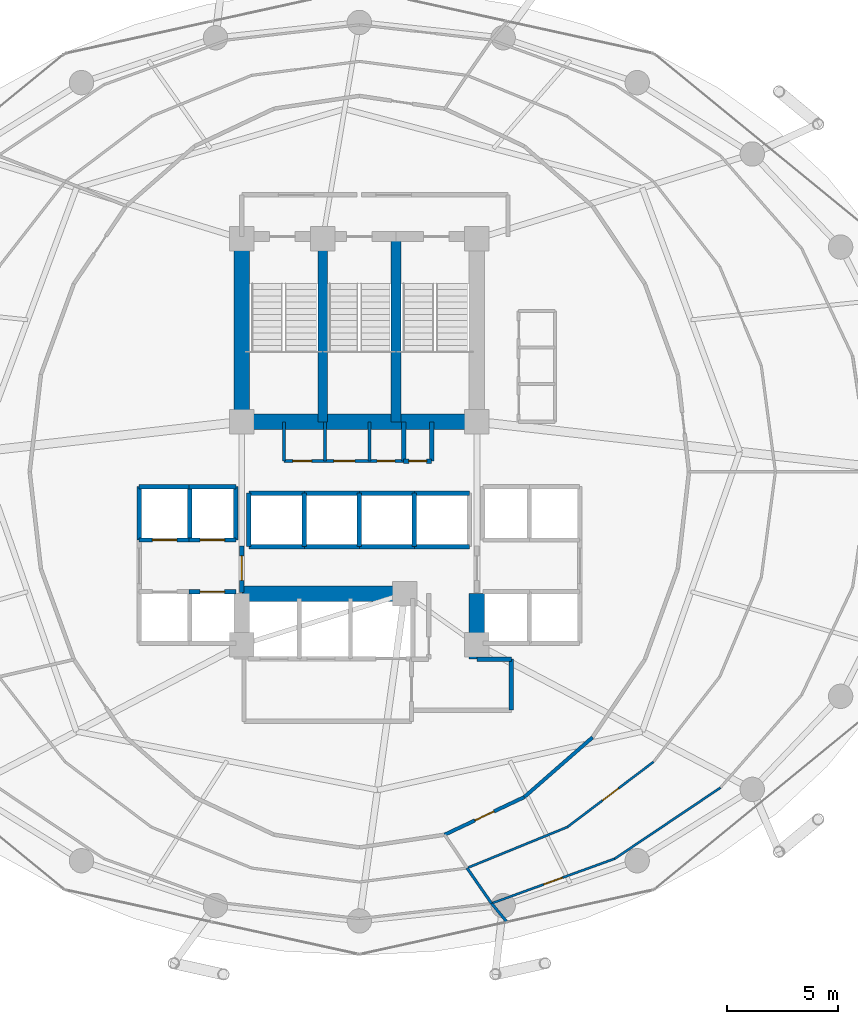
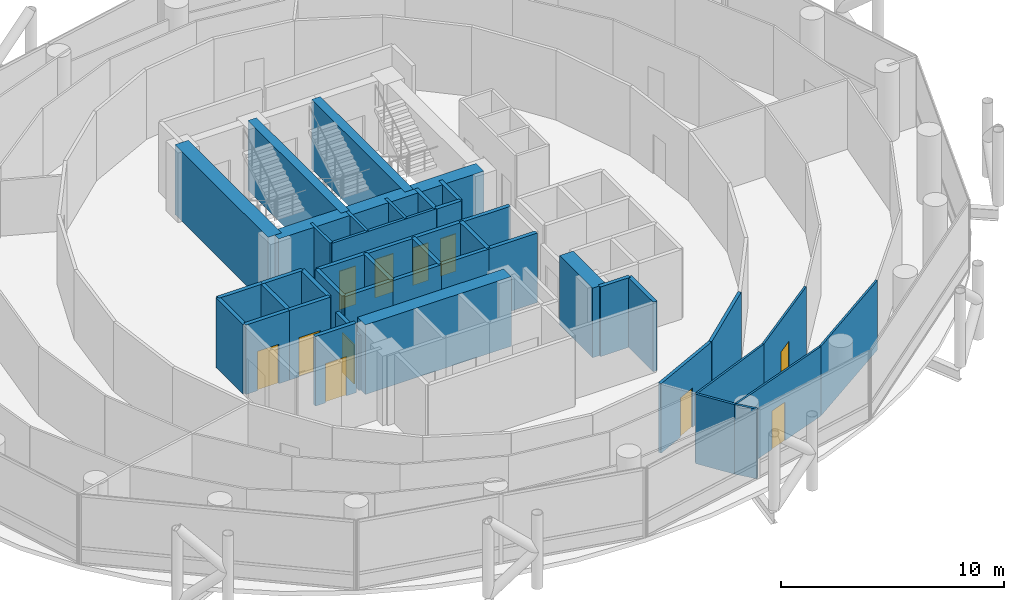
# One storey, part 22 of 26: 44 walls, 11 doors, 11 openings.
"""IFC4 building model written with IfcOpenShell, lengths in metres."""

from ifc_helpers import new_model, si_unit, direction, frame, frame_2d, origin, place, context, subcontext, project, spatial, rectangle, extrude, material, layer, layer_set, type_object, element, fill, save


model = new_model("IFC4")

# Units and contexts
model_context = context("Model", 3, precision=1e-05, world=origin(), true_north=direction((0.0, 1.0)))
body_context = subcontext(model_context, "Body", "Model", "MODEL_VIEW")
ifc_project = project(units=[si_unit("LENGTHUNIT", "METRE"), si_unit("AREAUNIT", "SQUARE_METRE"), si_unit("VOLUMEUNIT", "CUBIC_METRE"), si_unit("PLANEANGLEUNIT", "RADIAN"), si_unit("MASSUNIT", "GRAM", prefix="KILO")], contexts=[model_context])

# Site, building, storey
site_placement = place(None, origin())
site = spatial("IfcSite", under=ifc_project, at=site_placement, CompositionType="ELEMENT")
building_placement = place(site_placement, origin())
building = spatial("IfcBuilding", under=site, at=building_placement, Name="Nuhasar Tower", CompositionType="ELEMENT")
storey_placement = place(building_placement, frame((0.0, 0.0, 97.949951171875)))
storey = spatial("IfcBuildingStorey", under=building, at=storey_placement, Name="L23", CompositionType="ELEMENT", Elevation=97.949951171875)

# Walls
ifc_material_1 = material(Name="Concrete C50/60", Category="concrete")
ifc_layer_1 = layer(ifc_material_1, 0.449951171875)
ifc_layer_set_1 = layer_set([ifc_layer_1], Name="Concrete C50/60")
wall_type_1 = type_object("IfcWallType", Name="WL-CORE-450", PredefinedType="SHEAR", material=ifc_layer_set_1)
for number, where, z_axis, x_axis, name in (
    (1, (37.35009765625, 29.050048828125, 0.0), (0.0, 0.0, 1.0), (0.0, 1.0, 0.0), "L23 Stairwell Shear Wall ST01-E"),
    (2, (40.64990234375, 29.050048828125, 0.0), (0.0, 0.0, 1.0), (0.0, 1.0, 0.0), "L23 Stairwell Shear Wall ST03-E"),
):
    element("IfcWall", number, at=place(storey_placement, frame(where, z_axis=z_axis, x_axis=x_axis)), inside=storey, type_object=wall_type_1, Name=name, PredefinedType="SHEAR", context=body_context, shape_type="SweptSolid", body=[
        extrude(rectangle(XDim=8.349853515625, YDim=0.449951171875, at=frame_2d((4.1748046875, 0.0))), origin(), (0.0, 0.0, 1.0), 3.800048828125),
    ])
ifc_material_2 = material(Name="Concrete C65/80", Category="concrete")
ifc_layer_2 = layer(ifc_material_2, 0.699951171875)
ifc_layer_set_2 = layer_set([ifc_layer_2], Name="Concrete C65/80")
wall_type_2 = type_object("IfcWallType", Name="WL-CORE-700", PredefinedType="SHEAR", material=ifc_layer_set_2)
wall_1_placement = place(storey_placement, frame((33.699951171875, 29.050048828125, 0.0), z_axis=(0.0, 0.0, 1.0), x_axis=(0.0, 1.0, 0.0)))
element("IfcWall", 3, at=wall_1_placement, inside=storey, type_object=wall_type_2, Name="L23 Core Shear Wall CW-NW CW-700", PredefinedType="SHEAR", context=body_context, shape_type="SweptSolid", body=[
    extrude(rectangle(XDim=8.349853515625, YDim=0.699951171875, at=frame_2d((4.1748046875, 0.0))), origin(), (0.0, 0.0, 1.0), 3.800048828125),
])
wall_2_placement = place(storey_placement, frame((44.300048828125, 18.35009765625, 0.0), z_axis=(0.0, 0.0, 1.0), x_axis=(0.0, 1.0, 0.0)))
element("IfcWall", 4, at=wall_2_placement, inside=storey, type_object=wall_type_2, Name="L23 Core Shear Wall CW-SE CW-700", PredefinedType="SHEAR", context=body_context, shape_type="SweptSolid", body=[
    extrude(rectangle(XDim=2.949951171875, YDim=0.699951171875, at=frame_2d((1.47509765625, 0.0))), origin(), (0.0, 0.0, 1.0), 3.800048828125),
])
wall_3_placement = place(storey_placement, frame((33.699951171875, 29.050048828125, 0.0), z_axis=(0.0, 0.0, 1.0), x_axis=(1.0, 0.0, 0.0)))
element("IfcWall", 5, at=wall_3_placement, inside=storey, type_object=wall_type_2, Name="L23 Core Shear Wall CW-N1 CW-700", PredefinedType="SHEAR", context=body_context, shape_type="SweptSolid", body=[
    extrude(rectangle(XDim=10.60009765625, YDim=0.699951171875, at=frame_2d((5.300048828125, 0.0))), origin(), (0.0, 0.0, 1.0), 3.800048828125),
])
wall_4_placement = place(storey_placement, frame((33.699951171875, 21.300048828125, 0.0), z_axis=(0.0, 0.0, 1.0), x_axis=(1.0, 0.0, 0.0)))
element("IfcWall", 6, at=wall_4_placement, inside=storey, type_object=wall_type_2, Name="L23 Core Shear Wall CW-S1 CW-700", PredefinedType="SHEAR", context=body_context, shape_type="SweptSolid", body=[
    extrude(rectangle(XDim=7.550048828125, YDim=0.699951171875, at=frame_2d((3.77490234375, 0.0))), origin(), (0.0, 0.0, 1.0), 3.800048828125),
])

# Wall, opening, door
ifc_material_3 = material(Name="Gypsum Board", Category="gypsum")
ifc_layer_3 = layer(ifc_material_3, 0.159912109375)
ifc_layer_set_3 = layer_set([ifc_layer_3], Name="Gypsum Board")
wall_type_3 = type_object("IfcWallType", Name="WL-CORR-160", PredefinedType="PARTITIONING", material=ifc_layer_set_3)
wall_5_placement = place(storey_placement, frame((46.429931640625, 12.1298828125, 0.0), z_axis=(0.0, 0.0, 1.0), x_axis=(-0.904206361714, -0.427095838701, 0.0)))
wall_5 = element("IfcWall", 7, at=wall_5_placement, inside=storey, type_object=wall_type_3, Name="L23 Interior Partition CORR-38", PredefinedType="PARTITIONING", context=body_context, shape_type="SweptSolid", body=[
    extrude(rectangle(XDim=3.963623046875, YDim=0.159912109375, at=frame_2d((1.98193359375, 0.0))), origin(), (0.0, 0.0, 1.0), 3.800048828125),
])
opening_1_placement = place(wall_5_placement, frame((1.507080078125, 0.0, 0.0)))
opening_1 = element("IfcOpeningElement", 8, at=opening_1_placement, cuts=wall_5, Name="Opening DO-01", PredefinedType="OPENING", context=body_context, shape_type="SweptSolid", body=[
    extrude(rectangle(XDim=0.949951171875, YDim=2.14990234375, at=frame_2d((0.47509765625, 1.074951171875))), frame((0.0, 0.08984375, 0.0), z_axis=(0.0, -1.0, 0.0), x_axis=(1.0, 0.0, 0.0)), (0.0, 0.0, 1.0), 0.179931640625),
])
ifc_material_4 = material(Name="Timber Oak", Category="wood")
door_type_1 = type_object("IfcDoorType", Name="DR-OFFICE-FD30-950", OperationType="NOTDEFINED", PredefinedType="DOOR", material=ifc_material_4)
door_1_placement = place(opening_1_placement, origin())
door_1 = element("IfcDoor", 9, at=door_1_placement, inside=storey, type_object=door_type_1, Name="L23 Private Chef Pantry Entry Door", OperationType="SINGLE_SWING_RIGHT", OverallHeight=2.14990234375, OverallWidth=0.949951171875, PredefinedType="DOOR", context=body_context, shape_type="SweptSolid", body=[
    extrude(rectangle(XDim=0.949951171875, YDim=2.14990234375, at=frame_2d((0.47509765625, 1.074951171875))), frame((0.0, 0.02490234375, 0.0), z_axis=(0.0, -1.0, 0.0), x_axis=(1.0, 0.0, 0.0)), (0.0, 0.0, 1.0), 0.050048828125),
])
fill(opening_1, door_1)

# Wall
wall_6_placement = place(storey_placement, frame((46.429931640625, 12.1298828125, 0.0), z_axis=(0.0, 0.0, 1.0), x_axis=(0.752724610228, 0.658335523238, 0.0)))
element("IfcWall", 10, at=wall_6_placement, inside=storey, type_object=wall_type_3, Name="L23 Interior Partition CORR-40", PredefinedType="PARTITIONING", context=body_context, shape_type="SweptSolid", body=[
    extrude(rectangle(XDim=4.08935546875, YDim=0.159912109375, at=frame_2d((2.044677734375, 0.0))), origin(), (0.0, 0.0, 1.0), 3.800048828125),
])

# Wall, opening, door
ifc_material_5 = material(Name="Concrete C45/55", Category="concrete")
ifc_layer_4 = layer(ifc_material_5, 0.199951171875)
ifc_layer_set_4 = layer_set([ifc_layer_4], Name="Concrete C45/55")
wall_type_4 = type_object("IfcWallType", Name="WL-LOBBY-200", PredefinedType="SOLIDWALL", material=ifc_layer_set_4)
wall_7_placement = place(storey_placement, frame((33.699951171875, 21.35009765625, 0.0), z_axis=(0.0, 0.0, 1.0), x_axis=(0.0, 1.0, 0.0)))
wall_7 = element("IfcWall", 11, at=wall_7_placement, inside=storey, type_object=wall_type_4, Name="L23 Interior Partition LLBH-W", PredefinedType="SOLIDWALL", context=body_context, shape_type="SweptSolid", body=[
    extrude(rectangle(XDim=2.099853515625, YDim=0.199951171875, at=frame_2d((1.0498046875, 0.0))), origin(), (0.0, 0.0, 1.0), 3.02001953125),
])
opening_2_placement = place(wall_7_placement, frame((0.550048828125, 0.0, 0.0)))
opening_2 = element("IfcOpeningElement", 12, at=opening_2_placement, cuts=wall_7, Name="Opening DS-02", PredefinedType="OPENING", context=body_context, shape_type="SweptSolid", body=[
    extrude(rectangle(XDim=1.10009765625, YDim=2.14990234375, at=frame_2d((0.550048828125, 1.074951171875))), frame((0.0, 0.10986328125, 0.0), z_axis=(0.0, -1.0, 0.0), x_axis=(1.0, 0.0, 0.0)), (0.0, 0.0, 1.0), 0.219970703125),
])
ifc_material_6 = material(Name="Steel S355", Category="steel")
door_type_2 = type_object("IfcDoorType", Name="DR-FFL-FD120-1100", OperationType="NOTDEFINED", PredefinedType="DOOR", material=ifc_material_6)
door_2_placement = place(opening_2_placement, origin())
door_2 = element("IfcDoor", 13, at=door_2_placement, inside=storey, type_object=door_type_2, Name="L23 High-Rise Lobby West Door", OperationType="SINGLE_SWING_RIGHT", OverallHeight=2.14990234375, OverallWidth=1.10009765625, PredefinedType="DOOR", context=body_context, shape_type="SweptSolid", body=[
    extrude(rectangle(XDim=1.10009765625, YDim=2.14990234375, at=frame_2d((0.550048828125, 1.074951171875))), frame((0.0, 0.02490234375, 0.0), z_axis=(0.0, -1.0, 0.0), x_axis=(1.0, 0.0, 0.0)), (0.0, 0.0, 1.0), 0.050048828125),
])
fill(opening_2, door_2)

# Walls
wall_8_placement = place(storey_placement, frame((45.85009765625, 16.050048828125, 0.0), z_axis=(0.0, 0.0, 1.0), x_axis=(0.0, 1.0, 0.0)))
element("IfcWall", 14, at=wall_8_placement, inside=storey, type_object=wall_type_4, Name="L23 Interior Partition SVLV-E", PredefinedType="SOLIDWALL", context=body_context, shape_type="SweptSolid", body=[
    extrude(rectangle(XDim=2.300048828125, YDim=0.199951171875, at=frame_2d((1.14990234375, 0.0))), origin(), (0.0, 0.0, 1.0), 3.800048828125),
])
wall_9_placement = place(storey_placement, frame((44.300048828125, 18.35009765625, 0.0), z_axis=(0.0, 0.0, 1.0), x_axis=(1.0, 0.0, 0.0)))
element("IfcWall", 15, at=wall_9_placement, inside=storey, type_object=wall_type_4, Name="L23 Interior Partition SVLV-N", PredefinedType="SOLIDWALL", context=body_context, shape_type="SweptSolid", body=[
    extrude(rectangle(XDim=1.550048828125, YDim=0.199951171875, at=frame_2d((0.77490234375, 0.0))), origin(), (0.0, 0.0, 1.0), 3.800048828125),
])
ifc_material_7 = material(Name="Aluminium 6063-T6", Category="aluminium")
ifc_layer_5 = layer(ifc_material_7, 0.10009765625)
ifc_layer_set_5 = layer_set([ifc_layer_5], Name="Aluminium 6063-T6")
wall_type_5 = type_object("IfcWallType", Name="WL-MOVABLE-100", PredefinedType="MOVABLE", material=ifc_layer_set_5)
wall_10_placement = place(storey_placement, frame((43.85400390625, 8.93408203125, 0.0), z_axis=(0.0, 0.0, 1.0), x_axis=(0.925718788243, 0.378212539577, 0.0)))
element("IfcWall", 16, at=wall_10_placement, inside=storey, type_object=wall_type_5, Name="L23 Interior Partition OR1-05-38", PredefinedType="MOVABLE", context=body_context, shape_type="SweptSolid", body=[
    extrude(rectangle(XDim=4.885986328125, YDim=0.10009765625, at=frame_2d((2.44287109375, 0.0))), origin(), (0.0, 0.0, 1.0), 3.800048828125),
])

# Wall, opening, door
wall_11_placement = place(storey_placement, frame((48.376953125, 10.781982421875, 0.0), z_axis=(0.0, 0.0, 1.0), x_axis=(0.797509354447, 0.603306580081, 0.0)))
wall_11 = element("IfcWall", 17, at=wall_11_placement, inside=storey, type_object=wall_type_5, Name="L23 Interior Partition OR1-05-40", PredefinedType="MOVABLE", context=body_context, shape_type="SweptSolid", body=[
    extrude(rectangle(XDim=4.871337890625, YDim=0.10009765625, at=frame_2d((2.435546875, 0.0))), origin(), (0.0, 0.0, 1.0), 3.800048828125),
])
opening_3_placement = place(wall_11_placement, frame((1.986083984375, 0.0, 0.0)))
opening_3 = element("IfcOpeningElement", 18, at=opening_3_placement, cuts=wall_11, Name="Opening DR-01", PredefinedType="OPENING", context=body_context, shape_type="SweptSolid", body=[
    extrude(rectangle(XDim=0.89990234375, YDim=2.10009765625, at=frame_2d((0.449951171875, 1.050048828125))), frame((0.0, 0.06005859375, 0.0), z_axis=(0.0, -1.0, 0.0), x_axis=(1.0, 0.0, 0.0)), (0.0, 0.0, 1.0), 0.1201171875),
])
door_type_3 = type_object("IfcDoorType", Name="DR-ROOM-900", OperationType="NOTDEFINED", PredefinedType="DOOR", material=ifc_material_4)
door_3_placement = place(opening_3_placement, origin())
door_3 = element("IfcDoor", 19, at=door_3_placement, inside=storey, type_object=door_type_3, Name="L23 Private Chef Pantry Mid Door", OperationType="SINGLE_SWING_LEFT", OverallHeight=2.10009765625, OverallWidth=0.89990234375, PredefinedType="DOOR", context=body_context, shape_type="SweptSolid", body=[
    extrude(rectangle(XDim=0.89990234375, YDim=2.10009765625, at=frame_2d((0.449951171875, 1.050048828125))), frame((0.0, 0.02490234375, 0.0), z_axis=(0.0, -1.0, 0.0), x_axis=(1.0, 0.0, 0.0)), (0.0, 0.0, 1.0), 0.050048828125),
])
fill(opening_3, door_3)

wall_12_placement = place(storey_placement, frame((44.95703125, 7.341064453125, 0.0), z_axis=(0.0, 0.0, 1.0), x_axis=(0.940117685929, 0.340850020689, 0.0)))
wall_12 = element("IfcWall", 20, at=wall_12_placement, inside=storey, type_object=wall_type_5, Name="L23 Interior Partition OR2-05-38", PredefinedType="MOVABLE", context=body_context, shape_type="SweptSolid", body=[
    extrude(rectangle(XDim=5.90576171875, YDim=0.10009765625, at=frame_2d((2.952880859375, 0.0))), origin(), (0.0, 0.0, 1.0), 3.800048828125),
])
opening_4_placement = place(wall_12_placement, frame((2.5029296875, 0.0, 0.0)))
opening_4 = element("IfcOpeningElement", 21, at=opening_4_placement, cuts=wall_12, Name="Opening DR-01", PredefinedType="OPENING", context=body_context, shape_type="SweptSolid", body=[
    extrude(rectangle(XDim=0.89990234375, YDim=2.10009765625, at=frame_2d((0.449951171875, 1.050048828125))), frame((0.0, 0.06005859375, 0.0), z_axis=(0.0, -1.0, 0.0), x_axis=(1.0, 0.0, 0.0)), (0.0, 0.0, 1.0), 0.1201171875),
])
door_4_placement = place(opening_4_placement, origin())
door_4 = element("IfcDoor", 22, at=door_4_placement, inside=storey, type_object=door_type_3, Name="L23 Private Chef Pantry Outer Door", OperationType="SINGLE_SWING_LEFT", OverallHeight=2.10009765625, OverallWidth=0.89990234375, PredefinedType="DOOR", context=body_context, shape_type="SweptSolid", body=[
    extrude(rectangle(XDim=0.89990234375, YDim=2.10009765625, at=frame_2d((0.449951171875, 1.050048828125))), frame((0.0, 0.02490234375, 0.0), z_axis=(0.0, -1.0, 0.0), x_axis=(1.0, 0.0, 0.0)), (0.0, 0.0, 1.0), 0.050048828125),
])
fill(opening_4, door_4)

# Walls
wall_13_placement = place(storey_placement, frame((50.509033203125, 9.35400390625, 0.0), z_axis=(0.0, 0.0, 1.0), x_axis=(0.830194424377, 0.557473961485, 0.0)))
element("IfcWall", 23, at=wall_13_placement, inside=storey, type_object=wall_type_5, Name="L23 Interior Partition OR2-05-40", PredefinedType="MOVABLE", context=body_context, shape_type="SweptSolid", body=[
    extrude(rectangle(XDim=5.741943359375, YDim=0.10009765625, at=frame_2d((2.87109375, 0.0))), origin(), (0.0, 0.0, 1.0), 3.800048828125),
])
ifc_layer_6 = layer(ifc_material_3, 0.125)
ifc_layer_set_6 = layer_set([ifc_layer_6], Name="Gypsum Board")
wall_type_6 = type_object("IfcWallType", Name="WL-PART-125", PredefinedType="PARTITIONING", material=ifc_layer_set_6)
wall_14_placement = place(storey_placement, frame((43.85400390625, 8.93408203125, 0.0), z_axis=(0.0, 0.0, 1.0), x_axis=(0.569268945464, -0.822151365461, 0.0)))
element("IfcWall", 24, at=wall_14_placement, inside=storey, type_object=wall_type_6, Name="L23 Interior Partition ORAD7-38-S2", PredefinedType="PARTITIONING", context=body_context, shape_type="SweptSolid", body=[
    extrude(rectangle(XDim=1.9375, YDim=0.125, at=frame_2d((0.96875, 0.0))), origin(), (0.0, 0.0, 1.0), 3.800048828125),
])
wall_15_placement = place(storey_placement, frame((44.95703125, 7.341064453125, 0.0), z_axis=(0.0, 0.0, 1.0), x_axis=(0.639729139547, -0.768600434566, 0.0)))
element("IfcWall", 25, at=wall_15_placement, inside=storey, type_object=wall_type_6, Name="L23 Interior Partition ORAD7-38-S3", PredefinedType="PARTITIONING", context=body_context, shape_type="SweptSolid", body=[
    extrude(rectangle(XDim=1.05517578125, YDim=0.125, at=frame_2d((0.527587890625, 0.0))), origin(), (0.0, 0.0, 1.0), 3.800048828125),
])
ifc_layer_7 = layer(ifc_material_5, 0.199951171875)
ifc_layer_set_7 = layer_set([ifc_layer_7], Name="Concrete C45/55")
wall_type_7 = type_object("IfcWallType", Name="WL-SHAFT-200", PredefinedType="SOLIDWALL", material=ifc_layer_set_7)
for number, where, z_axis, x_axis, name in (
    (26, (41.0, 27.280029296875, 0.0), (0.0, 0.0, 1.0), (0.0, 1.0, 0.0), "L23 Interior Partition RSRN-W"),
    (27, (42.260009765625, 27.280029296875, 0.0), (0.0, 0.0, 1.0), (0.0, 1.0, 0.0), "L23 Interior Partition RSRN-E"),
):
    element("IfcWall", number, at=place(storey_placement, frame(where, z_axis=z_axis, x_axis=x_axis)), inside=storey, type_object=wall_type_7, Name=name, PredefinedType="SOLIDWALL", context=body_context, shape_type="SweptSolid", body=[
        extrude(rectangle(XDim=1.77001953125, YDim=0.199951171875, at=frame_2d((0.885009765625, 0.0))), origin(), (0.0, 0.0, 1.0), 3.800048828125),
    ])

# Wall, opening, door
wall_16_placement = place(storey_placement, frame((41.0, 27.280029296875, 0.0), z_axis=(0.0, 0.0, 1.0), x_axis=(1.0, 0.0, 0.0)))
wall_16 = element("IfcWall", 28, at=wall_16_placement, inside=storey, type_object=wall_type_7, Name="L23 Interior Partition RSRN-S", PredefinedType="SOLIDWALL", context=body_context, shape_type="SweptSolid", body=[
    extrude(rectangle(XDim=1.260009765625, YDim=0.199951171875, at=frame_2d((0.6298828125, 0.0))), origin(), (0.0, 0.0, 1.0), 3.800048828125),
])
opening_5_placement = place(wall_16_placement, frame((0.22998046875, 0.0, 0.0)))
opening_5 = element("IfcOpeningElement", 29, at=opening_5_placement, cuts=wall_16, Name="Opening DM-01", PredefinedType="OPENING", context=body_context, shape_type="SweptSolid", body=[
    extrude(rectangle(XDim=0.800048828125, YDim=2.050048828125, at=frame_2d((0.39990234375, 1.02490234375))), frame((0.0, 0.10986328125, 0.0), z_axis=(0.0, -1.0, 0.0), x_axis=(1.0, 0.0, 0.0)), (0.0, 0.0, 1.0), 0.219970703125),
])
door_type_4 = type_object("IfcDoorType", Name="DR-RISER-FD60-800", OperationType="NOTDEFINED", PredefinedType="DOOR", material=ifc_material_6)
door_5_placement = place(opening_5_placement, origin())
door_5 = element("IfcDoor", 30, at=door_5_placement, inside=storey, type_object=door_type_4, Name="L23 North Smoke Riser Door", OperationType="SINGLE_SWING_RIGHT", OverallHeight=2.050048828125, OverallWidth=0.800048828125, PredefinedType="DOOR", context=body_context, shape_type="SweptSolid", body=[
    extrude(rectangle(XDim=0.800048828125, YDim=2.050048828125, at=frame_2d((0.39990234375, 1.02490234375))), frame((0.0, 0.02490234375, 0.0), z_axis=(0.0, -1.0, 0.0), x_axis=(1.0, 0.0, 0.0)), (0.0, 0.0, 1.0), 0.050048828125),
])
fill(opening_5, door_5)

wall_17_placement = place(storey_placement, frame((29.070068359375, 23.719970703125, 0.0), z_axis=(0.0, 0.0, 1.0), x_axis=(1.0, 0.0, 0.0)))
wall_17 = element("IfcWall", 31, at=wall_17_placement, inside=storey, type_object=wall_type_7, Name="L23 Interior Partition SHF-PL-L01-S", PredefinedType="SOLIDWALL", context=body_context, shape_type="SweptSolid", body=[
    extrude(rectangle(XDim=2.309814453125, YDim=0.199951171875, at=frame_2d((1.15478515625, 0.0))), origin(), (0.0, 0.0, 1.0), 3.800048828125),
])
opening_6_placement = place(wall_17_placement, frame((0.60498046875, 0.0, 0.0)))
opening_6 = element("IfcOpeningElement", 32, at=opening_6_placement, cuts=wall_17, Name="Opening LD-L01", PredefinedType="OPENING", context=body_context, shape_type="SweptSolid", body=[
    extrude(rectangle(XDim=1.10009765625, YDim=2.14990234375, at=frame_2d((0.550048828125, 1.074951171875))), frame((0.0, 0.10986328125, 0.0), z_axis=(0.0, -1.0, 0.0), x_axis=(1.0, 0.0, 0.0)), (0.0, 0.0, 1.0), 0.219970703125),
])
ifc_material_8 = material(Name="Stainless Steel 316L", Category="steel")
door_type_5 = type_object("IfcDoorType", Name="LD-PAX-1100", OperationType="DOUBLE_DOOR_SLIDING", PredefinedType="DOOR", material=ifc_material_8)
door_6_placement = place(opening_6_placement, origin())
door_6 = element("IfcDoor", 33, at=door_6_placement, inside=storey, type_object=door_type_5, Name="L23 Lift Landing Door PL-L01", OperationType="DOUBLE_DOOR_SLIDING", OverallHeight=2.14990234375, OverallWidth=1.10009765625, PredefinedType="DOOR", context=body_context, shape_type="SweptSolid", body=[
    extrude(rectangle(XDim=1.10009765625, YDim=2.14990234375, at=frame_2d((0.550048828125, 1.074951171875))), frame((0.0, 0.02490234375, 0.0), z_axis=(0.0, -1.0, 0.0), x_axis=(1.0, 0.0, 0.0)), (0.0, 0.0, 1.0), 0.050048828125),
])
fill(opening_6, door_6)

# Walls
wall_18_placement = place(storey_placement, frame((29.070068359375, 26.1298828125, 0.0), z_axis=(0.0, 0.0, 1.0), x_axis=(1.0, 0.0, 0.0)))
element("IfcWall", 34, at=wall_18_placement, inside=storey, type_object=wall_type_7, Name="L23 Interior Partition SHF-PL-L01-N", PredefinedType="SOLIDWALL", context=body_context, shape_type="SweptSolid", body=[
    extrude(rectangle(XDim=2.309814453125, YDim=0.199951171875, at=frame_2d((1.15478515625, 0.0))), origin(), (0.0, 0.0, 1.0), 3.800048828125),
])
for number, where, z_axis, x_axis, name in (
    (35, (29.070068359375, 23.719970703125, 0.0), (0.0, 0.0, 1.0), (0.0, 1.0, 0.0), "L23 Interior Partition SHF-PL-L01-W"),
    (36, (31.35009765625, 23.719970703125, 0.0), (0.0, 0.0, 1.0), (0.0, 1.0, 0.0), "L23 Interior Partition SHF-PL-L01-E"),
):
    element("IfcWall", number, at=place(storey_placement, frame(where, z_axis=z_axis, x_axis=x_axis)), inside=storey, type_object=wall_type_7, Name=name, PredefinedType="SOLIDWALL", context=body_context, shape_type="SweptSolid", body=[
        extrude(rectangle(XDim=2.409912109375, YDim=0.199951171875, at=frame_2d((1.205078125, 0.0))), origin(), (0.0, 0.0, 1.0), 3.800048828125),
    ])

# Wall, opening, door
wall_19_placement = place(storey_placement, frame((31.320068359375, 23.719970703125, 0.0), z_axis=(0.0, 0.0, 1.0), x_axis=(1.0, 0.0, 0.0)))
wall_19 = element("IfcWall", 37, at=wall_19_placement, inside=storey, type_object=wall_type_7, Name="L23 Interior Partition SHF-PL-L02-S", PredefinedType="SOLIDWALL", context=body_context, shape_type="SweptSolid", body=[
    extrude(rectangle(XDim=2.10986328125, YDim=0.199951171875, at=frame_2d((1.054931640625, 0.0))), origin(), (0.0, 0.0, 1.0), 3.800048828125),
])
opening_7_placement = place(wall_19_placement, frame((0.5048828125, 0.0, 0.0)))
opening_7 = element("IfcOpeningElement", 38, at=opening_7_placement, cuts=wall_19, Name="Opening LD-L02", PredefinedType="OPENING", context=body_context, shape_type="SweptSolid", body=[
    extrude(rectangle(XDim=1.10009765625, YDim=2.14990234375, at=frame_2d((0.550048828125, 1.074951171875))), frame((0.0, 0.10986328125, 0.0), z_axis=(0.0, -1.0, 0.0), x_axis=(1.0, 0.0, 0.0)), (0.0, 0.0, 1.0), 0.219970703125),
])
door_7_placement = place(opening_7_placement, origin())
door_7 = element("IfcDoor", 39, at=door_7_placement, inside=storey, type_object=door_type_5, Name="L23 Lift Landing Door PL-L02", OperationType="DOUBLE_DOOR_SLIDING", OverallHeight=2.14990234375, OverallWidth=1.10009765625, PredefinedType="DOOR", context=body_context, shape_type="SweptSolid", body=[
    extrude(rectangle(XDim=1.10009765625, YDim=2.14990234375, at=frame_2d((0.550048828125, 1.074951171875))), frame((0.0, 0.02490234375, 0.0), z_axis=(0.0, -1.0, 0.0), x_axis=(1.0, 0.0, 0.0)), (0.0, 0.0, 1.0), 0.050048828125),
])
fill(opening_7, door_7)

# Walls
wall_20_placement = place(storey_placement, frame((31.320068359375, 26.1298828125, 0.0), z_axis=(0.0, 0.0, 1.0), x_axis=(1.0, 0.0, 0.0)))
element("IfcWall", 40, at=wall_20_placement, inside=storey, type_object=wall_type_7, Name="L23 Interior Partition SHF-PL-L02-N", PredefinedType="SOLIDWALL", context=body_context, shape_type="SweptSolid", body=[
    extrude(rectangle(XDim=2.10986328125, YDim=0.199951171875, at=frame_2d((1.054931640625, 0.0))), origin(), (0.0, 0.0, 1.0), 3.800048828125),
])
wall_21_placement = place(storey_placement, frame((33.429931640625, 23.719970703125, 0.0), z_axis=(0.0, 0.0, 1.0), x_axis=(0.0, 1.0, 0.0)))
element("IfcWall", 41, at=wall_21_placement, inside=storey, type_object=wall_type_7, Name="L23 Interior Partition SHF-PL-L02-E", PredefinedType="SOLIDWALL", context=body_context, shape_type="SweptSolid", body=[
    extrude(rectangle(XDim=2.409912109375, YDim=0.199951171875, at=frame_2d((1.205078125, 0.0))), origin(), (0.0, 0.0, 1.0), 3.800048828125),
])

# Wall, opening, door
wall_22_placement = place(storey_placement, frame((31.320068359375, 21.3798828125, 0.0), z_axis=(0.0, 0.0, 1.0), x_axis=(1.0, 0.0, 0.0)))
wall_22 = element("IfcWall", 42, at=wall_22_placement, inside=storey, type_object=wall_type_7, Name="L23 Interior Partition SHF-PL-L04-N", PredefinedType="SOLIDWALL", context=body_context, shape_type="SweptSolid", body=[
    extrude(rectangle(XDim=2.10986328125, YDim=0.199951171875, at=frame_2d((1.054931640625, 0.0))), origin(), (0.0, 0.0, 1.0), 3.800048828125),
])
opening_8_placement = place(wall_22_placement, frame((0.5048828125, 0.0, 0.0)))
opening_8 = element("IfcOpeningElement", 43, at=opening_8_placement, cuts=wall_22, Name="Opening LD-L04", PredefinedType="OPENING", context=body_context, shape_type="SweptSolid", body=[
    extrude(rectangle(XDim=1.10009765625, YDim=2.14990234375, at=frame_2d((0.550048828125, 1.074951171875))), frame((0.0, 0.10986328125, 0.0), z_axis=(0.0, -1.0, 0.0), x_axis=(1.0, 0.0, 0.0)), (0.0, 0.0, 1.0), 0.219970703125),
])
door_8_placement = place(opening_8_placement, origin())
door_8 = element("IfcDoor", 44, at=door_8_placement, inside=storey, type_object=door_type_5, Name="L23 Lift Landing Door PL-L04", OperationType="DOUBLE_DOOR_SLIDING", OverallHeight=2.14990234375, OverallWidth=1.10009765625, PredefinedType="DOOR", context=body_context, shape_type="SweptSolid", body=[
    extrude(rectangle(XDim=1.10009765625, YDim=2.14990234375, at=frame_2d((0.550048828125, 1.074951171875))), frame((0.0, 0.02490234375, 0.0), z_axis=(0.0, -1.0, 0.0), x_axis=(1.0, 0.0, 0.0)), (0.0, 0.0, 1.0), 0.050048828125),
])
fill(opening_8, door_8)

# Walls
for number, where, z_axis, x_axis, name in (
    (45, (34.02001953125, 23.419921875, 0.0), (0.0, 0.0, 1.0), (1.0, 0.0, 0.0), "L23 Interior Partition SHF-PL-H01-S"),
    (46, (34.02001953125, 25.830078125, 0.0), (0.0, 0.0, 1.0), (1.0, 0.0, 0.0), "L23 Interior Partition SHF-PL-H01-N"),
):
    element("IfcWall", number, at=place(storey_placement, frame(where, z_axis=z_axis, x_axis=x_axis)), inside=storey, type_object=wall_type_7, Name=name, PredefinedType="SOLIDWALL", context=body_context, shape_type="SweptSolid", body=[
        extrude(rectangle(XDim=2.5, YDim=0.199951171875, at=frame_2d((1.25, 0.0))), origin(), (0.0, 0.0, 1.0), 3.800048828125),
    ])
for number, where, z_axis, x_axis, name in (
    (47, (34.02001953125, 23.419921875, 0.0), (0.0, 0.0, 1.0), (0.0, 1.0, 0.0), "L23 Interior Partition SHF-PL-H01-W"),
    (48, (36.510009765625, 23.419921875, 0.0), (0.0, 0.0, 1.0), (0.0, 1.0, 0.0), "L23 Interior Partition SHF-PL-H01-E"),
):
    element("IfcWall", number, at=place(storey_placement, frame(where, z_axis=z_axis, x_axis=x_axis)), inside=storey, type_object=wall_type_7, Name=name, PredefinedType="SOLIDWALL", context=body_context, shape_type="SweptSolid", body=[
        extrude(rectangle(XDim=2.41015625, YDim=0.199951171875, at=frame_2d((1.205078125, 0.0))), origin(), (0.0, 0.0, 1.0), 3.800048828125),
    ])
for number, where, z_axis, x_axis, name in (
    (49, (36.5, 23.419921875, 0.0), (0.0, 0.0, 1.0), (1.0, 0.0, 0.0), "L23 Interior Partition SHF-PL-H02-S"),
    (50, (36.5, 25.830078125, 0.0), (0.0, 0.0, 1.0), (1.0, 0.0, 0.0), "L23 Interior Partition SHF-PL-H02-N"),
):
    element("IfcWall", number, at=place(storey_placement, frame(where, z_axis=z_axis, x_axis=x_axis)), inside=storey, type_object=wall_type_7, Name=name, PredefinedType="SOLIDWALL", context=body_context, shape_type="SweptSolid", body=[
        extrude(rectangle(XDim=2.5, YDim=0.199951171875, at=frame_2d((1.25, 0.0))), origin(), (0.0, 0.0, 1.0), 3.800048828125),
    ])
wall_23_placement = place(storey_placement, frame((38.989990234375, 23.419921875, 0.0), z_axis=(0.0, 0.0, 1.0), x_axis=(0.0, 1.0, 0.0)))
element("IfcWall", 51, at=wall_23_placement, inside=storey, type_object=wall_type_7, Name="L23 Interior Partition SHF-PL-H02-E", PredefinedType="SOLIDWALL", context=body_context, shape_type="SweptSolid", body=[
    extrude(rectangle(XDim=2.41015625, YDim=0.199951171875, at=frame_2d((1.205078125, 0.0))), origin(), (0.0, 0.0, 1.0), 3.800048828125),
])
for number, where, z_axis, x_axis, name in (
    (52, (38.97998046875, 23.419921875, 0.0), (0.0, 0.0, 1.0), (1.0, 0.0, 0.0), "L23 Interior Partition SHF-PL-H03-S"),
    (53, (38.97998046875, 25.830078125, 0.0), (0.0, 0.0, 1.0), (1.0, 0.0, 0.0), "L23 Interior Partition SHF-PL-H03-N"),
):
    element("IfcWall", number, at=place(storey_placement, frame(where, z_axis=z_axis, x_axis=x_axis)), inside=storey, type_object=wall_type_7, Name=name, PredefinedType="SOLIDWALL", context=body_context, shape_type="SweptSolid", body=[
        extrude(rectangle(XDim=2.5, YDim=0.199951171875, at=frame_2d((1.25, 0.0))), origin(), (0.0, 0.0, 1.0), 3.800048828125),
    ])
wall_24_placement = place(storey_placement, frame((41.469970703125, 23.419921875, 0.0), z_axis=(0.0, 0.0, 1.0), x_axis=(0.0, 1.0, 0.0)))
element("IfcWall", 54, at=wall_24_placement, inside=storey, type_object=wall_type_7, Name="L23 Interior Partition SHF-PL-H03-E", PredefinedType="SOLIDWALL", context=body_context, shape_type="SweptSolid", body=[
    extrude(rectangle(XDim=2.41015625, YDim=0.199951171875, at=frame_2d((1.205078125, 0.0))), origin(), (0.0, 0.0, 1.0), 3.800048828125),
])
for number, where, z_axis, x_axis, name in (
    (55, (41.4599609375, 23.419921875, 0.0), (0.0, 0.0, 1.0), (1.0, 0.0, 0.0), "L23 Interior Partition SHF-PL-H04-S"),
    (56, (41.4599609375, 25.830078125, 0.0), (0.0, 0.0, 1.0), (1.0, 0.0, 0.0), "L23 Interior Partition SHF-PL-H04-N"),
):
    element("IfcWall", number, at=place(storey_placement, frame(where, z_axis=z_axis, x_axis=x_axis)), inside=storey, type_object=wall_type_7, Name=name, PredefinedType="SOLIDWALL", context=body_context, shape_type="SweptSolid", body=[
        extrude(rectangle(XDim=2.5, YDim=0.199951171875, at=frame_2d((1.25, 0.0))), origin(), (0.0, 0.0, 1.0), 3.800048828125),
    ])
ifc_material_9 = material(Name="Concrete C40/50 precast", Category="concrete")
ifc_layer_8 = layer(ifc_material_9, 0.139892578125)
ifc_layer_set_8 = layer_set([ifc_layer_8], Name="Concrete C40/50 precast")
wall_type_8 = type_object("IfcWallType", Name="WL-WET-140", PredefinedType="PARTITIONING", material=ifc_layer_set_8)
wall_25_placement = place(storey_placement, frame((35.60009765625, 27.280029296875, 0.0), z_axis=(0.0, 0.0, 1.0), x_axis=(0.0, 1.0, 0.0)))
element("IfcWall", 57, at=wall_25_placement, inside=storey, type_object=wall_type_8, Name="L23 Interior Partition CSVC-W", PredefinedType="PARTITIONING", context=body_context, shape_type="SweptSolid", body=[
    extrude(rectangle(XDim=1.77001953125, YDim=0.139892578125, at=frame_2d((0.885009765625, 0.0))), origin(), (0.0, 0.0, 1.0), 3.800048828125),
])

# Wall, openings, doors
wall_26_placement = place(storey_placement, frame((35.60009765625, 27.280029296875, 0.0), z_axis=(0.0, 0.0, 1.0), x_axis=(1.0, 0.0, 0.0)))
wall_26 = element("IfcWall", 58, at=wall_26_placement, inside=storey, type_object=wall_type_8, Name="L23 Interior Partition CSVC-S", PredefinedType="PARTITIONING", context=body_context, shape_type="SweptSolid", body=[
    extrude(rectangle(XDim=5.39990234375, YDim=0.139892578125, at=frame_2d((2.699951171875, 0.0))), origin(), (0.0, 0.0, 1.0), 3.800048828125),
])
opening_9_placement = place(wall_26_placement, frame((0.39990234375, 0.0, 0.0)))
opening_9 = element("IfcOpeningElement", 59, at=opening_9_placement, cuts=wall_26, Name="Opening DB-01", PredefinedType="OPENING", context=body_context, shape_type="SweptSolid", body=[
    extrude(rectangle(XDim=0.85009765625, YDim=2.10009765625, at=frame_2d((0.425048828125, 1.050048828125))), frame((0.0, 0.080078125, 0.0), z_axis=(0.0, -1.0, 0.0), x_axis=(1.0, 0.0, 0.0)), (0.0, 0.0, 1.0), 0.159912109375),
])
opening_10_placement = place(wall_26_placement, frame((2.25, 0.0, 0.0)))
opening_10 = element("IfcOpeningElement", 60, at=opening_10_placement, cuts=wall_26, Name="Opening DA-01", PredefinedType="OPENING", context=body_context, shape_type="SweptSolid", body=[
    extrude(rectangle(XDim=0.949951171875, YDim=2.10009765625, at=frame_2d((0.47509765625, 1.050048828125))), frame((0.0, 0.080078125, 0.0), z_axis=(0.0, -1.0, 0.0), x_axis=(1.0, 0.0, 0.0)), (0.0, 0.0, 1.0), 0.159912109375),
])
opening_11_placement = place(wall_26_placement, frame((4.199951171875, 0.0, 0.0)))
opening_11 = element("IfcOpeningElement", 61, at=opening_11_placement, cuts=wall_26, Name="Opening DM-01", PredefinedType="OPENING", context=body_context, shape_type="SweptSolid", body=[
    extrude(rectangle(XDim=0.800048828125, YDim=2.050048828125, at=frame_2d((0.39990234375, 1.02490234375))), frame((0.0, 0.080078125, 0.0), z_axis=(0.0, -1.0, 0.0), x_axis=(1.0, 0.0, 0.0)), (0.0, 0.0, 1.0), 0.159912109375),
])
door_type_6 = type_object("IfcDoorType", Name="DR-ACCWC-950", OperationType="NOTDEFINED", PredefinedType="DOOR", material=ifc_material_4)
door_9_placement = place(opening_10_placement, origin())
door_9 = element("IfcDoor", 62, at=door_9_placement, inside=storey, type_object=door_type_6, Name="L23 Core Accessible WC Door", OperationType="SINGLE_SWING_RIGHT", OverallHeight=2.10009765625, OverallWidth=0.949951171875, PredefinedType="DOOR", context=body_context, shape_type="SweptSolid", body=[
    extrude(rectangle(XDim=0.949951171875, YDim=2.10009765625, at=frame_2d((0.47509765625, 1.050048828125))), frame((0.0, 0.02490234375, 0.0), z_axis=(0.0, -1.0, 0.0), x_axis=(1.0, 0.0, 0.0)), (0.0, 0.0, 1.0), 0.050048828125),
])
fill(opening_10, door_9)
door_type_7 = type_object("IfcDoorType", Name="DR-BATH-850", OperationType="NOTDEFINED", PredefinedType="DOOR", material=ifc_material_4)
door_10_placement = place(opening_9_placement, origin())
door_10 = element("IfcDoor", 63, at=door_10_placement, inside=storey, type_object=door_type_7, Name="L23 Core Male WC Door", OperationType="SINGLE_SWING_LEFT", OverallHeight=2.10009765625, OverallWidth=0.85009765625, PredefinedType="DOOR", context=body_context, shape_type="SweptSolid", body=[
    extrude(rectangle(XDim=0.85009765625, YDim=2.10009765625, at=frame_2d((0.425048828125, 1.050048828125))), frame((0.0, 0.02490234375, 0.0), z_axis=(0.0, -1.0, 0.0), x_axis=(1.0, 0.0, 0.0)), (0.0, 0.0, 1.0), 0.050048828125),
])
fill(opening_9, door_10)
door_11_placement = place(opening_11_placement, origin())
door_11 = element("IfcDoor", 64, at=door_11_placement, inside=storey, type_object=door_type_4, Name="L23 Core Janitor Door", OperationType="SINGLE_SWING_RIGHT", OverallHeight=2.050048828125, OverallWidth=0.800048828125, PredefinedType="DOOR", context=body_context, shape_type="SweptSolid", body=[
    extrude(rectangle(XDim=0.800048828125, YDim=2.050048828125, at=frame_2d((0.39990234375, 1.02490234375))), frame((0.0, 0.02490234375, 0.0), z_axis=(0.0, -1.0, 0.0), x_axis=(1.0, 0.0, 0.0)), (0.0, 0.0, 1.0), 0.050048828125),
])
fill(opening_11, door_11)

# Walls
for number, where, z_axis, x_axis, name in (
    (65, (37.449951171875, 27.280029296875, 0.0), (0.0, 0.0, 1.0), (0.0, 1.0, 0.0), "L23 Interior Partition K1-P1"),
    (66, (39.449951171875, 27.280029296875, 0.0), (0.0, 0.0, 1.0), (0.0, 1.0, 0.0), "L23 Interior Partition K1-P2"),
):
    element("IfcWall", number, at=place(storey_placement, frame(where, z_axis=z_axis, x_axis=x_axis)), inside=storey, type_object=wall_type_8, Name=name, PredefinedType="PARTITIONING", context=body_context, shape_type="SweptSolid", body=[
        extrude(rectangle(XDim=1.77001953125, YDim=0.139892578125, at=frame_2d((0.885009765625, 0.0))), origin(), (0.0, 0.0, 1.0), 3.800048828125),
    ])

save(model, "model.ifc")
